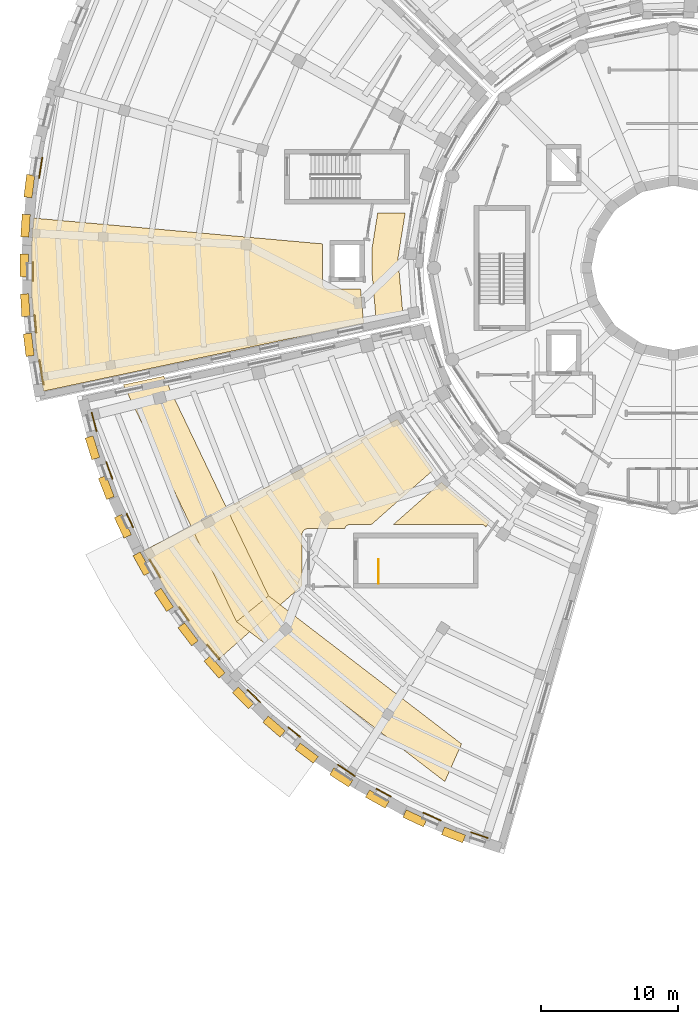
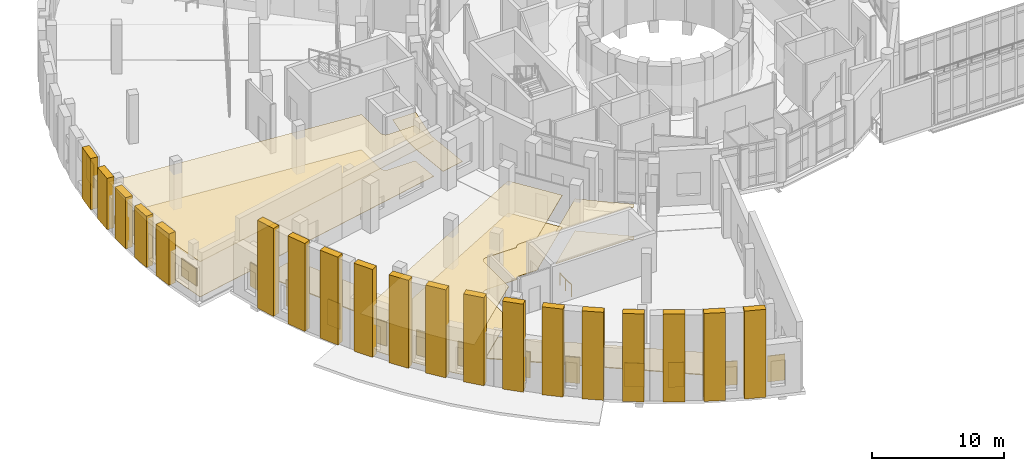
# One storey, part 75 of 89: 44 coverings, 1 railing.
"""IFC4 building model written with IfcOpenShell, lengths in metres."""

import ifcopenshell
import ifcopenshell.guid

model = None  # the IFC model being written
_history = None  # IfcOwnerHistory: only IFC2X3 demands one
_inside = {}  # id of a spatial element -> (the spatial element, [elements in it])
_under = {}  # id of a project, library or spatial element -> (it, [spatial elements below it])
_declared = {}  # id of a project -> (the project, [libraries it declares])
_typed = {}  # id of a type object -> (the type object, [elements of that type])
_made_of = {}  # id of a material, layer set ... -> (it, [elements and type objects made of it])


def new_model(schema):
    """Start an empty IFC model of exactly this schema.

    Asked for "IFC4X3", IfcOpenShell would pick the latest addendum, in which some entities
    have other attributes; the version numbers below select the first issue.
    IFC2X3 requires an IfcOwnerHistory on every rooted entity: one is made here for all.
    """
    global model, _history
    if schema == "IFC4X3":
        model = ifcopenshell.file(schema_version=(4, 3, 0, 0))
    else:
        model = ifcopenshell.file(schema=schema)
    _inside.clear()
    _under.clear()
    _declared.clear()
    _typed.clear()
    _made_of.clear()
    _history = None
    if model.schema == "IFC2X3":
        org = make("IfcOrganization", Name="unknown")
        user = make(
            "IfcPersonAndOrganization",
            ThePerson=make("IfcPerson", FamilyName="unknown"),
            TheOrganization=org,
        )
        app = make(
            "IfcApplication",
            ApplicationDeveloper=org,
            Version="unknown",
            ApplicationFullName="unknown",
            ApplicationIdentifier="unknown",
        )
        _history = make(
            "IfcOwnerHistory",
            OwningUser=user,
            OwningApplication=app,
            ChangeAction="ADDED",
            CreationDate=0,
        )
    return model


def make(cls, **values):
    """One entity of the class cls with the attributes given. An attribute that is None is left unset."""
    return model.create_entity(
        cls, **{name: value for name, value in values.items() if value is not None}
    )


def rooted(cls, **values):
    """An entity with a GlobalId (a new one), such as an element, a storey or a relation."""
    return make(cls, GlobalId=ifcopenshell.guid.new(), OwnerHistory=_history, **values)


def si_unit(unit_type, name, prefix=None):
    """IfcSIUnit, for example si_unit("LENGTHUNIT", "METRE", prefix="MILLI")."""
    return make("IfcSIUnit", UnitType=unit_type, Prefix=prefix, Name=name)


def assignment(units):
    """IfcUnitAssignment: the units of a project."""
    return None if units is None else make("IfcUnitAssignment", Units=units)


def point(xyz):
    """IfcCartesianPoint."""
    return None if xyz is None else make("IfcCartesianPoint", Coordinates=xyz)


def direction(xyz):
    """IfcDirection."""
    return None if xyz is None else make("IfcDirection", DirectionRatios=xyz)


def frame(location, z_axis=None, x_axis=None):
    """IfcAxis2Placement3D, a coordinate frame: its origin and axes. An axis left out is left unset."""
    return make(
        "IfcAxis2Placement3D",
        Location=point(location),
        Axis=direction(z_axis),
        RefDirection=direction(x_axis),
    )


def frame_2d(location, x_axis=None):
    """IfcAxis2Placement2D, a coordinate frame in the plane: its origin and x axis."""
    return make(
        "IfcAxis2Placement2D", Location=point(location), RefDirection=direction(x_axis)
    )


def origin():
    """The frame at (0, 0, 0) with its axes left unset."""
    return frame((0.0, 0.0, 0.0))


def origin_2d():
    """The frame at (0, 0) in the plane with its x axis left unset."""
    return frame_2d((0.0, 0.0))


def place(relative_to, where):
    """IfcLocalPlacement: puts the frame where relative to a parent placement (None: the world)."""
    return make(
        "IfcLocalPlacement", PlacementRelTo=relative_to, RelativePlacement=where
    )


def context(
    kind, dimensions, precision=None, world=None, true_north=None, identifier=None
):
    """IfcGeometricRepresentationContext, for example the 3D "Model" context."""
    return make(
        "IfcGeometricRepresentationContext",
        ContextIdentifier=identifier,
        ContextType=kind,
        CoordinateSpaceDimension=dimensions,
        Precision=precision,
        WorldCoordinateSystem=world,
        TrueNorth=true_north,
    )


def subcontext(parent, identifier, kind, view, scale=None):
    """IfcGeometricRepresentationSubContext, for example "Body" below "Model"."""
    return make(
        "IfcGeometricRepresentationSubContext",
        ContextIdentifier=identifier,
        ContextType=kind,
        ParentContext=parent,
        TargetScale=scale,
        TargetView=view,
    )


def project(units=None, contexts=None):
    """IfcProject with its units and contexts."""
    return rooted(
        "IfcProject",
        Name="project",
        RepresentationContexts=contexts,
        UnitsInContext=assignment(units),
    )


def spatial(cls, under=None, at=None, **own):
    """A site, building, storey or space (cls), placed at a placement, below another one or the project."""
    s = rooted(cls, ObjectPlacement=at, **own)
    if under is not None:
        _under.setdefault(under.id(), (under, []))[1].append(s)
    return s


def polyline(points):
    """IfcPolyline through the points."""
    return make("IfcPolyline", Points=[point(p) for p in points])


def profile(cls, at=None, kind="AREA", **sizes):
    """A parametric profile (cls). Its sizes go by their IFC names, for example OverallWidth=200.0."""
    return make(cls, ProfileType=kind, Position=at, **sizes)


def rectangle(**sizes):
    """IfcRectangleProfileDef."""
    return profile("IfcRectangleProfileDef", **sizes)


def circle(**sizes):
    """IfcCircleProfileDef."""
    return profile("IfcCircleProfileDef", **sizes)


def outline(outer, holes=None, kind="AREA"):
    """IfcArbitraryClosedProfileDef: a profile drawn as a closed curve; with holes, ...WithVoids."""
    if holes is None:
        return make("IfcArbitraryClosedProfileDef", ProfileType=kind, OuterCurve=outer)
    return make(
        "IfcArbitraryProfileDefWithVoids",
        ProfileType=kind,
        OuterCurve=outer,
        InnerCurves=holes,
    )


def extrude(swept, where, along, depth):
    """IfcExtrudedAreaSolid: the profile swept, set in the frame where, extruded along a direction by depth."""
    return make(
        "IfcExtrudedAreaSolid",
        SweptArea=swept,
        Position=where,
        ExtrudedDirection=direction(along),
        Depth=depth,
    )


def shape(context_of_items, identifier, shape_type, items):
    """IfcShapeRepresentation: the items that make up one representation, for example the "Body"."""
    return make(
        "IfcShapeRepresentation",
        ContextOfItems=context_of_items,
        RepresentationIdentifier=identifier,
        RepresentationType=shape_type,
        Items=items,
    )


def material(Name=None, Category=None):
    """IfcMaterial."""
    return make("IfcMaterial", Name=Name, Category=Category)


def layer(
    of_material, thickness, ventilated=None, Name=None, Category=None, Priority=None
):
    """IfcMaterialLayer: one layer of a wall or slab, of a material (None: an air gap)."""
    return make(
        "IfcMaterialLayer",
        Material=of_material,
        LayerThickness=thickness,
        IsVentilated=ventilated,
        Name=Name,
        Category=Category,
        Priority=Priority,
    )


def layer_set(layers, Name=None):
    """IfcMaterialLayerSet."""
    return make("IfcMaterialLayerSet", MaterialLayers=layers, LayerSetName=Name)


def made_of(thing, what):
    """Note that an element or type object is made of a material, layer set ...; save() writes the relation."""
    if what is not None:
        _made_of.setdefault(what.id(), (what, []))[1].append(thing)
    return thing


def type_object(cls, material=None, **own):
    """A type object (cls), such as IfcWallType, which elements share."""
    return made_of(rooted(cls, **own), material)


def element(
    cls,
    number,
    at=None,
    inside=None,
    cuts=None,
    type_object=None,
    material=None,
    context=None,
    identifier="Body",
    shape_type=None,
    held_by="IfcProductDefinitionShape",
    body=None,
    shapes=None,
    **own,
):
    """One element of the class cls, such as IfcWall. Its Tag is "e" and its number.

    at: its placement. inside: the storey or other place that contains it. cuts: it is an
    opening in that element (IfcRelVoidsElement). A single representation is given by context,
    identifier, shape_type and body (its items); several are given by shapes. held_by: the class
    of the entity that holds the representations. save() writes the other relations.
    """
    e = rooted(cls, Tag="e%d" % number, ObjectPlacement=at, **own)
    if body is not None:
        shapes = [shape(context, identifier, shape_type, body)]
    if shapes is not None:
        e.Representation = make(held_by, Representations=shapes)
    if inside is not None:
        _inside.setdefault(inside.id(), (inside, []))[1].append(e)
    if cuts is not None:
        rooted(
            "IfcRelVoidsElement", RelatingBuildingElement=cuts, RelatedOpeningElement=e
        )
    if type_object is not None:
        _typed.setdefault(type_object.id(), (type_object, []))[1].append(e)
    return made_of(e, material)


def aggregate(whole, parts):
    """IfcRelAggregates: a whole, such as a stair, and the parts it consists of."""
    return rooted("IfcRelAggregates", RelatingObject=whole, RelatedObjects=parts)


def save(model, path):
    """Write the relations noted so far, then the file.

    IfcRelAggregates (storeys below a building ...), IfcRelContainedInSpatialStructure (elements
    in a storey), IfcRelDefinesByType, IfcRelAssociatesMaterial and IfcRelDeclares: one each for
    every whole, place, type object, material and project.
    """
    for whole, parts in _under.values():
        aggregate(whole, parts)
    for where, things in _inside.values():
        rooted(
            "IfcRelContainedInSpatialStructure",
            RelatedElements=things,
            RelatingStructure=where,
        )
    for kind, things in _typed.values():
        rooted("IfcRelDefinesByType", RelatedObjects=things, RelatingType=kind)
    for what, things in _made_of.values():
        rooted("IfcRelAssociatesMaterial", RelatedObjects=things, RelatingMaterial=what)
    for by, libraries in _declared.values():
        rooted("IfcRelDeclares", RelatingContext=by, RelatedDefinitions=libraries)
    model.write(path)


model = new_model("IFC4")

# Units and contexts
model_context = context("Model", 3, precision=1e-05, world=origin(), true_north=direction((0.0, 1.0)))
body_context = subcontext(model_context, "Body", "Model", "MODEL_VIEW")
ifc_project = project(units=[si_unit("LENGTHUNIT", "METRE"), si_unit("AREAUNIT", "SQUARE_METRE"), si_unit("VOLUMEUNIT", "CUBIC_METRE"), si_unit("PLANEANGLEUNIT", "RADIAN"), si_unit("MASSUNIT", "GRAM", prefix="KILO")], contexts=[model_context])

# Site, building, storey
site_placement = place(None, origin())
site = spatial("IfcSite", under=ifc_project, at=site_placement, CompositionType="ELEMENT")
building_placement = place(site_placement, origin())
building = spatial("IfcBuilding", under=site, at=building_placement, Name="Soyqirgoq Riverine Aquarium", CompositionType="ELEMENT")
storey_placement = place(building_placement, frame((0.0, 0.0, 5.39990234375)))
storey = spatial("IfcBuildingStorey", under=building, at=storey_placement, Name="L02", CompositionType="ELEMENT", Elevation=5.39990234375)

# Coverings
ifc_material_1 = material(Name="Perforated mineral-fibre acoustic ceiling", Category="gypsum")
ifc_layer_1 = layer(ifc_material_1, 0.050048828125)
ifc_layer_set_1 = layer_set([ifc_layer_1], Name="Perforated mineral-fibre acoustic ceiling")
covering_type_1 = type_object("IfcCoveringType", Name="AcousticBaffleCeiling_50", PredefinedType="CEILING", material=ifc_layer_set_1)
covering_1_placement = place(storey_placement, frame((0.0, 0.0, 2.9501953125)))
element("IfcCovering", 1, at=covering_1_placement, inside=storey, type_object=covering_type_1, Name="Mountain Stream Exhibit Room Suspended Ceiling", PredefinedType="CEILING", context=body_context, shape_type="SweptSolid", body=[
    extrude(outline(polyline([(21.367919921875, 30.10400390625), (19.0869140625, 33.33203125), (17.3330078125, 36.360107421875), (35.85400390625, 45.9599609375), (38.472900390625, 42.25390625), (33.988037109375, 38.300048828125), (32.449951171875, 38.300048828125), (32.406005859375, 38.298095703125), (32.362060546875, 38.291015625), (32.319091796875, 38.281005859375), (32.278076171875, 38.26611328125), (32.238037109375, 38.2470703125), (32.199951171875, 38.22412109375), (32.1650390625, 38.197998046875), (32.132080078125, 38.16796875), (32.10205078125, 38.135009765625), (32.075927734375, 38.10009765625), (32.052978515625, 38.06201171875), (32.033935546875, 38.02197265625), (32.02294921875, 37.989990234375), (29.360107421875, 37.989990234375), (29.31591796875, 37.988037109375), (29.27197265625, 37.98095703125), (29.22900390625, 37.970947265625), (29.18798828125, 37.9560546875), (29.14794921875, 37.93701171875), (29.110107421875, 37.9140625), (29.074951171875, 37.887939453125), (29.0419921875, 37.85791015625), (29.011962890625, 37.824951171875), (28.986083984375, 37.7900390625), (28.962890625, 37.751953125), (28.944091796875, 37.7119140625), (28.928955078125, 37.6708984375), (28.9189453125, 37.6279296875), (28.912109375, 37.583984375), (28.909912109375, 37.5400390625), (28.909912109375, 33.823974609375), (22.79296875, 28.430908203125), (21.367919921875, 30.10400390625)])), origin(), (0.0, 0.0, 1.0), 0.0498046875),
])
covering_2_placement = place(storey_placement, frame((0.0, 0.0, 2.9501953125)))
element("IfcCovering", 2, at=covering_2_placement, inside=storey, type_object=covering_type_1, Name="Members' Reading Lounge Suspended Ceiling", PredefinedType="CEILING", context=body_context, shape_type="SweptSolid", body=[
    extrude(outline(polyline([(39.117919921875, 41.341064453125), (39.14306640625, 41.30908203125), (39.1708984375, 41.279052734375), (39.200927734375, 41.251953125), (42.5849609375, 38.487060546875), (42.321044921875, 38.10400390625), (42.298095703125, 38.135009765625), (42.26806640625, 38.16796875), (42.235107421875, 38.197998046875), (42.199951171875, 38.22412109375), (42.162109375, 38.2470703125), (42.1220703125, 38.26611328125), (42.0810546875, 38.281005859375), (42.0380859375, 38.291015625), (41.993896484375, 38.298095703125), (41.949951171875, 38.300048828125), (35.590087890625, 38.300048828125), (39.087890625, 41.384033203125), (39.117919921875, 41.341064453125)])), origin(), (0.0, 0.0, 1.0), 0.0498046875),
])
covering_3_placement = place(storey_placement, frame((0.0, 0.0, 3.25)))
element("IfcCovering", 3, at=covering_3_placement, inside=storey, type_object=covering_type_1, Name="Endemic Sturgeon Conservation Hall Suspended Ceiling", PredefinedType="CEILING", context=body_context, shape_type="SweptSolid", body=[
    extrude(outline(polyline([(9.533935546875, 51.02001953125), (9.200927734375, 54.820068359375), (9.178955078125, 58.635009765625), (9.330078125, 60.633056640625), (30.39990234375, 58.7529296875), (30.39990234375, 55.89990234375), (30.402099609375, 55.85595703125), (30.408935546875, 55.81201171875), (30.4189453125, 55.76904296875), (30.43408203125, 55.72802734375), (30.452880859375, 55.68798828125), (30.47607421875, 55.64990234375), (30.501953125, 55.614990234375), (30.531982421875, 55.58203125), (30.56494140625, 55.552001953125), (30.60009765625, 55.52587890625), (30.637939453125, 55.5029296875), (30.677978515625, 55.48388671875), (30.718994140625, 55.468994140625), (30.761962890625, 55.458984375), (30.805908203125, 55.451904296875), (30.85009765625, 55.449951171875), (33.18603515625, 55.449951171875), (33.403076171875, 52.97412109375), (10.047119140625, 48.009033203125), (9.533935546875, 51.02001953125)])), origin(), (0.0, 0.0, 1.0), 0.050048828125),
])
ifc_material_2 = material(Name="Perforated anodised aluminium travertine-tone soffit", Category="masonry")
ifc_layer_2 = layer(ifc_material_2, 0.080078125)
ifc_layer_set_2 = layer_set([ifc_layer_2], Name="Perforated anodised aluminium travertine-tone soffit")
covering_type_2 = type_object("IfcCoveringType", Name="PrairieEaveSoffit_80", PredefinedType="CLADDING", material=ifc_layer_set_2)
covering_4_placement = place(storey_placement, frame((0.0, 0.0, -0.35986328125)))
element("IfcCovering", 4, at=covering_4_placement, inside=storey, type_object=covering_type_2, Name="V2 L02 Prairie Eave Travertine Soffit 01", PredefinedType="CLADDING", context=body_context, shape_type="SweptSolid", body=[
    extrude(outline(polyline([(18.830322265625, 49.099365234375), (15.89599609375, 48.4755859375), (24.136962890625, 31.197998046875), (26.468505859375, 33.085693359375), (18.830322265625, 49.099365234375)])), origin(), (0.0, 0.0, 1.0), 0.080078125),
])
covering_5_placement = place(storey_placement, frame((0.0, 0.0, -0.35986328125)))
element("IfcCovering", 5, at=covering_5_placement, inside=storey, type_object=covering_type_2, Name="V2 L02 Prairie Eave Travertine Soffit 02", PredefinedType="CLADDING", context=body_context, shape_type="SweptSolid", body=[
    extrude(outline(polyline([(26.468505859375, 33.085693359375), (24.136962890625, 31.197998046875), (39.32373046875, 19.544677734375), (40.5439453125, 22.285400390625), (26.468505859375, 33.085693359375)])), origin(), (0.0, 0.0, 1.0), 0.080078125),
])
ifc_material_3 = material(Name="Anodised extruded aluminium sunshade", Category="aluminium")
covering_type_3 = type_object("IfcCoveringType", Name="SolarShadingLouvre_450", PredefinedType="USERDEFINED", material=ifc_material_3)
covering_6_placement = place(storey_placement, frame((41.8505859375, 15.6376953125, 0.750244140625), z_axis=(0.0, 0.0, 1.0), x_axis=(-0.947879690069, 0.318628456287, 0.0)))
element("IfcCovering", 6, at=covering_6_placement, inside=storey, type_object=covering_type_3, Name="V2 L02 Travertine Niche Solar Shade 0017", ObjectType="SOLAR_SHADING", PredefinedType="USERDEFINED", context=body_context, shape_type="SweptSolid", body=[
    extrude(rectangle(XDim=1.340087890625, YDim=0.080078125, at=origin_2d()), origin(), (0.0, 0.0, 1.0), 2.39990234375),
])
covering_7_placement = place(storey_placement, frame((38.39404296875, 16.9873046875, 0.75), z_axis=(0.0, 0.0, 1.0), x_axis=(-0.915311479119, 0.402746689859, 0.0)))
element("IfcCovering", 7, at=covering_7_placement, inside=storey, type_object=covering_type_3, Name="V2 L02 Travertine Niche Solar Shade 0018", ObjectType="SOLAR_SHADING", PredefinedType="USERDEFINED", context=body_context, shape_type="SweptSolid", body=[
    extrude(rectangle(XDim=1.43994140625, YDim=0.080078125, at=origin_2d()), origin(), (0.0, 0.0, 1.0), 2.199951171875),
])
covering_8_placement = place(storey_placement, frame((34.8623046875, 18.7353515625, 0.75), z_axis=(0.0, 0.0, 1.0), x_axis=(-0.875295776291, 0.483587948575, 0.0)))
element("IfcCovering", 8, at=covering_8_placement, inside=storey, type_object=covering_type_3, Name="V2 L02 Travertine Niche Solar Shade 0019", ObjectType="SOLAR_SHADING", PredefinedType="USERDEFINED", context=body_context, shape_type="SweptSolid", body=[
    extrude(rectangle(XDim=1.239990234375, YDim=0.080078125, at=origin_2d()), origin(), (0.0, 0.0, 1.0), 2.300048828125),
])
covering_9_placement = place(storey_placement, frame((32.148193359375, 20.357421875, 0.75), z_axis=(0.0, 0.0, 1.0), x_axis=(-0.828255984098, 0.560349912828, 0.0)))
element("IfcCovering", 9, at=covering_9_placement, inside=storey, type_object=covering_type_3, Name="V2 L02 Travertine Niche Solar Shade 0020", ObjectType="SOLAR_SHADING", PredefinedType="USERDEFINED", context=body_context, shape_type="SweptSolid", body=[
    extrude(rectangle(XDim=1.5400390625, YDim=0.080078125, at=origin_2d()), origin(), (0.0, 0.0, 1.0), 2.199951171875),
])
covering_10_placement = place(storey_placement, frame((28.34130859375, 23.147705078125, 0.750244140625), z_axis=(0.0, 0.0, 1.0), x_axis=(-0.774392644082, 0.632705328563, 0.0)))
element("IfcCovering", 10, at=covering_10_placement, inside=storey, type_object=covering_type_3, Name="V2 L02 Travertine Niche Solar Shade 0021", ObjectType="SOLAR_SHADING", PredefinedType="USERDEFINED", context=body_context, shape_type="SweptSolid", body=[
    extrude(rectangle(XDim=1.139892578125, YDim=0.080078125, at=origin_2d()), origin(), (0.0, 0.0, 1.0), 2.39990234375),
])
covering_11_placement = place(storey_placement, frame((25.4052734375, 25.77587890625, 0.750244140625), z_axis=(0.0, 0.0, 1.0), x_axis=(-0.714228407531, 0.699912695896, 0.0)))
element("IfcCovering", 11, at=covering_11_placement, inside=storey, type_object=covering_type_3, Name="V2 L02 Travertine Niche Solar Shade 0022", ObjectType="SOLAR_SHADING", PredefinedType="USERDEFINED", context=body_context, shape_type="SweptSolid", body=[
    extrude(rectangle(XDim=1.340087890625, YDim=0.080078125, at=origin_2d()), origin(), (0.0, 0.0, 1.0), 2.39990234375),
])
covering_12_placement = place(storey_placement, frame((22.445556640625, 28.9775390625, 0.75), z_axis=(0.0, 0.0, 1.0), x_axis=(-0.648385688589, 0.761312024621, 0.0)))
element("IfcCovering", 12, at=covering_12_placement, inside=storey, type_object=covering_type_3, Name="V2 L02 Travertine Niche Solar Shade 0023", ObjectType="SOLAR_SHADING", PredefinedType="USERDEFINED", context=body_context, shape_type="SweptSolid", body=[
    extrude(rectangle(XDim=1.43994140625, YDim=0.080078125, at=origin_2d()), origin(), (0.0, 0.0, 1.0), 2.199951171875),
])
covering_13_placement = place(storey_placement, frame((20.30078125, 31.770263671875, 0.75), z_axis=(0.0, 0.0, 1.0), x_axis=(-0.577145190037, 0.816641555162, 0.0)))
element("IfcCovering", 13, at=covering_13_placement, inside=storey, type_object=covering_type_3, Name="V2 L02 Travertine Niche Solar Shade 0024", ObjectType="SOLAR_SHADING", PredefinedType="USERDEFINED", context=body_context, shape_type="SweptSolid", body=[
    extrude(rectangle(XDim=1.239990234375, YDim=0.080078125, at=origin_2d()), origin(), (0.0, 0.0, 1.0), 2.300048828125),
])
covering_14_placement = place(storey_placement, frame((18.173583984375, 35.087646484375, 0.75), z_axis=(0.0, 0.0, 1.0), x_axis=(-0.501208711795, 0.86532642813, 0.0)))
element("IfcCovering", 14, at=covering_14_placement, inside=storey, type_object=covering_type_3, Name="V2 L02 Travertine Niche Solar Shade 0025", ObjectType="SOLAR_SHADING", PredefinedType="USERDEFINED", context=body_context, shape_type="SweptSolid", body=[
    extrude(rectangle(XDim=1.5400390625, YDim=0.080078125, at=origin_2d()), origin(), (0.0, 0.0, 1.0), 2.199951171875),
])
covering_15_placement = place(storey_placement, frame((16.354248046875, 38.5830078125, 0.750244140625), z_axis=(0.0, 0.0, 1.0), x_axis=(-0.4213524058, 0.90689698981, 0.0)))
element("IfcCovering", 15, at=covering_15_placement, inside=storey, type_object=covering_type_3, Name="V2 L02 Travertine Niche Solar Shade 0026", ObjectType="SOLAR_SHADING", PredefinedType="USERDEFINED", context=body_context, shape_type="SweptSolid", body=[
    extrude(rectangle(XDim=1.139892578125, YDim=0.080078125, at=origin_2d()), origin(), (0.0, 0.0, 1.0), 2.39990234375),
])
covering_16_placement = place(storey_placement, frame((14.856689453125, 42.22802734375, 0.750244140625), z_axis=(0.0, 0.0, 1.0), x_axis=(-0.337916718003, 0.941176015256, 0.0)))
element("IfcCovering", 16, at=covering_16_placement, inside=storey, type_object=covering_type_3, Name="V2 L02 Travertine Niche Solar Shade 0027", ObjectType="SOLAR_SHADING", PredefinedType="USERDEFINED", context=body_context, shape_type="SweptSolid", body=[
    extrude(rectangle(XDim=1.340087890625, YDim=0.080078125, at=origin_2d()), origin(), (0.0, 0.0, 1.0), 2.39990234375),
])
covering_17_placement = place(storey_placement, frame((13.75146484375, 45.770263671875, 0.75), z_axis=(0.0, 0.0, 1.0), x_axis=(-0.251731548668, 0.967797100329, 0.0)))
element("IfcCovering", 17, at=covering_17_placement, inside=storey, type_object=covering_type_3, Name="V2 L02 Travertine Niche Solar Shade 0028", ObjectType="SOLAR_SHADING", PredefinedType="USERDEFINED", context=body_context, shape_type="SweptSolid", body=[
    extrude(rectangle(XDim=1.43994140625, YDim=0.080078125, at=origin_2d()), origin(), (0.0, 0.0, 1.0), 2.199951171875),
])
covering_18_placement = place(storey_placement, frame((9.904052734375, 49.381591796875, 0.75), z_axis=(0.0, 0.0, 1.0), x_axis=(-0.167973243363, 0.9857915548, 0.0)))
element("IfcCovering", 18, at=covering_18_placement, inside=storey, type_object=covering_type_3, Name="V3 L02 Travertine Niche Solar Shade 0031", ObjectType="SOLAR_SHADING", PredefinedType="USERDEFINED", context=body_context, shape_type="SweptSolid", body=[
    extrude(rectangle(XDim=1.840087890625, YDim=0.080078125, at=origin_2d()), origin(), (0.0, 0.0, 1.0), 1.60009765625),
])
covering_19_placement = place(storey_placement, frame((9.45703125, 52.927978515625, 0.750244140625), z_axis=(0.0, 0.0, 1.0), x_axis=(-0.087155742748, 0.996194698092, 0.0)))
element("IfcCovering", 19, at=covering_19_placement, inside=storey, type_object=covering_type_3, Name="V3 L02 Travertine Niche Solar Shade 0032", ObjectType="SOLAR_SHADING", PredefinedType="USERDEFINED", context=body_context, shape_type="SweptSolid", body=[
    extrude(rectangle(XDim=1.340087890625, YDim=0.080078125, at=origin_2d()), origin(), (0.0, 0.0, 1.0), 2.39990234375),
])
covering_20_placement = place(storey_placement, frame((9.280029296875, 56.72802734375, 0.75), z_axis=(0.0, 0.0, 1.0), x_axis=(-0.005759554688, 0.999983413627, 0.0)))
element("IfcCovering", 20, at=covering_20_placement, inside=storey, type_object=covering_type_3, Name="V3 L02 Travertine Niche Solar Shade 0033", ObjectType="SOLAR_SHADING", PredefinedType="USERDEFINED", context=body_context, shape_type="SweptSolid", body=[
    extrude(rectangle(XDim=1.43994140625, YDim=0.080078125, at=origin_2d()), origin(), (0.0, 0.0, 1.0), 2.199951171875),
])
covering_21_placement = place(storey_placement, frame((9.8544921875, 64.30859375, 0.75), z_axis=(0.0, 0.0, 1.0), x_axis=(0.15643446504, 0.987688340595, 0.0)))
element("IfcCovering", 21, at=covering_21_placement, inside=storey, type_object=covering_type_3, Name="V3 L02 Travertine Niche Solar Shade 0034", ObjectType="SOLAR_SHADING", PredefinedType="USERDEFINED", context=body_context, shape_type="SweptSolid", body=[
    extrude(rectangle(XDim=1.5400390625, YDim=0.080078125, at=origin_2d()), origin(), (0.0, 0.0, 1.0), 2.199951171875),
])

# Railing
ifc_material_4 = material(Name="Painted steel infill stair-well guardrail", Category="steel")
railing_type = type_object("IfcRailingType", Name="StairWellGuard_1120", PredefinedType="GUARDRAIL", material=ifc_material_4)
railing_placement = place(storey_placement, frame((34.5, 34.0, 0.0)))
element("IfcRailing", 22, at=railing_placement, inside=storey, type_object=railing_type, Name="L02 ST-2 top well guard 1", PredefinedType="GUARDRAIL", context=body_context, shape_type="SweptSolid", body=[
    extrude(circle(Radius=0.02392578125, at=origin_2d()), frame((0.0, 0.0, 1.09619140625), z_axis=(0.0, 1.0, 0.0), x_axis=(-1.0, 0.0, 0.0)), (0.0, 0.0, 1.0), 1.75),
    extrude(circle(Radius=0.02099609375, at=origin_2d()), origin(), (0.0, 0.0, 1.0), 1.072021484375),
    extrude(circle(Radius=0.02099609375, at=origin_2d()), frame((0.0, 0.875, 0.0)), (0.0, 0.0, 1.0), 1.072021484375),
    extrude(circle(Radius=0.02099609375, at=origin_2d()), frame((0.0, 1.75, 0.0)), (0.0, 0.0, 1.0), 1.072021484375),
])

# Coverings
ifc_material_5 = material(Name="Polished Chirchiq river-pebble terrazzo flooring", Category="concrete")
ifc_layer_3 = layer(ifc_material_5, 0.030029296875)
ifc_layer_set_3 = layer_set([ifc_layer_3], Name="Polished Chirchiq river-pebble terrazzo flooring")
covering_type_4 = type_object("IfcCoveringType", Name="TerrazzoFloorFinish_30", PredefinedType="FLOORING", material=ifc_layer_set_3)
covering_22_placement = place(storey_placement, origin())
element("IfcCovering", 23, at=covering_22_placement, inside=storey, type_object=covering_type_4, Name="Mountain Stream Exhibit Room Floor Finish", PredefinedType="FLOORING", context=body_context, shape_type="SweptSolid", body=[
    extrude(outline(polyline([(21.367919921875, 30.10400390625), (19.0869140625, 33.33203125), (17.3330078125, 36.360107421875), (35.85400390625, 45.9599609375), (38.472900390625, 42.25390625), (33.988037109375, 38.300048828125), (32.449951171875, 38.300048828125), (32.406005859375, 38.298095703125), (32.362060546875, 38.291015625), (32.319091796875, 38.281005859375), (32.278076171875, 38.26611328125), (32.238037109375, 38.2470703125), (32.199951171875, 38.22412109375), (32.1650390625, 38.197998046875), (32.132080078125, 38.16796875), (32.10205078125, 38.135009765625), (32.075927734375, 38.10009765625), (32.052978515625, 38.06201171875), (32.033935546875, 38.02197265625), (32.02294921875, 37.989990234375), (29.360107421875, 37.989990234375), (29.31591796875, 37.988037109375), (29.27197265625, 37.98095703125), (29.22900390625, 37.970947265625), (29.18798828125, 37.9560546875), (29.14794921875, 37.93701171875), (29.110107421875, 37.9140625), (29.074951171875, 37.887939453125), (29.0419921875, 37.85791015625), (29.011962890625, 37.824951171875), (28.986083984375, 37.7900390625), (28.962890625, 37.751953125), (28.944091796875, 37.7119140625), (28.928955078125, 37.6708984375), (28.9189453125, 37.6279296875), (28.912109375, 37.583984375), (28.909912109375, 37.5400390625), (28.909912109375, 33.823974609375), (22.79296875, 28.430908203125), (21.367919921875, 30.10400390625)])), origin(), (0.0, 0.0, 1.0), 0.030029296875),
])
covering_23_placement = place(storey_placement, origin())
element("IfcCovering", 24, at=covering_23_placement, inside=storey, type_object=covering_type_4, Name="Members' Reading Lounge Floor Finish", PredefinedType="FLOORING", context=body_context, shape_type="SweptSolid", body=[
    extrude(outline(polyline([(39.117919921875, 41.341064453125), (39.14306640625, 41.30908203125), (39.1708984375, 41.279052734375), (39.200927734375, 41.251953125), (42.5849609375, 38.487060546875), (42.321044921875, 38.10400390625), (42.298095703125, 38.135009765625), (42.26806640625, 38.16796875), (42.235107421875, 38.197998046875), (42.199951171875, 38.22412109375), (42.162109375, 38.2470703125), (42.1220703125, 38.26611328125), (42.0810546875, 38.281005859375), (42.0380859375, 38.291015625), (41.993896484375, 38.298095703125), (41.949951171875, 38.300048828125), (35.590087890625, 38.300048828125), (39.087890625, 41.384033203125), (39.117919921875, 41.341064453125)])), origin(), (0.0, 0.0, 1.0), 0.030029296875),
])
covering_24_placement = place(storey_placement, origin())
element("IfcCovering", 25, at=covering_24_placement, inside=storey, type_object=covering_type_4, Name="V3 Gallery Circulation Corridor Floor Finish", PredefinedType="FLOORING", context=body_context, shape_type="SweptSolid", body=[
    extrude(outline(polyline([(34.320068359375, 53.1689453125), (34.0, 56.820068359375), (34.0, 58.2958984375), (34.427978515625, 61.0), (36.430908203125, 61.0), (35.91796875, 57.756103515625), (35.912109375, 57.701904296875), (35.9140625, 57.64697265625), (36.26904296875, 53.5830078125), (34.320068359375, 53.1689453125)])), origin(), (0.0, 0.0, 1.0), 0.030029296875),
])
covering_25_placement = place(storey_placement, origin())
element("IfcCovering", 26, at=covering_25_placement, inside=storey, type_object=covering_type_4, Name="Endemic Sturgeon Conservation Hall Floor Finish", PredefinedType="FLOORING", context=body_context, shape_type="SweptSolid", body=[
    extrude(outline(polyline([(9.533935546875, 51.02001953125), (9.200927734375, 54.820068359375), (9.178955078125, 58.635009765625), (9.330078125, 60.633056640625), (30.39990234375, 58.7529296875), (30.39990234375, 55.89990234375), (30.402099609375, 55.85595703125), (30.408935546875, 55.81201171875), (30.4189453125, 55.76904296875), (30.43408203125, 55.72802734375), (30.452880859375, 55.68798828125), (30.47607421875, 55.64990234375), (30.501953125, 55.614990234375), (30.531982421875, 55.58203125), (30.56494140625, 55.552001953125), (30.60009765625, 55.52587890625), (30.637939453125, 55.5029296875), (30.677978515625, 55.48388671875), (30.718994140625, 55.468994140625), (30.761962890625, 55.458984375), (30.805908203125, 55.451904296875), (30.85009765625, 55.449951171875), (33.18603515625, 55.449951171875), (33.403076171875, 52.97412109375), (10.047119140625, 48.009033203125), (9.533935546875, 51.02001953125)])), origin(), (0.0, 0.0, 1.0), 0.030029296875),
])
ifc_material_6 = material(Name="Honed Uzbek travertine limestone vertical niche pier", Category="masonry")
covering_type_5 = type_object("IfcCoveringType", Name="TravertineNichePier_550", PredefinedType="CLADDING", material=ifc_material_6)
for number, where, z_axis, x_axis, name in (
    (27, (13.63330078125, 43.88525390625, 0.000244140625), (0.0, 0.0, 1.0), (-0.955278362122, -0.295708050044, 0.0), "V2 L02 Travertine Vertical Niche Pier 008"),
    (28, (14.642822265625, 40.984130859375, 0.000244140625), (0.0, 0.0, 1.0), (-0.932513019588, -0.361136356933, 0.0), "V2 L02 Travertine Vertical Niche Pier 009"),
    (29, (15.8505859375, 38.159912109375, 0.000244140625), (0.0, 0.0, 1.0), (-0.905272431289, -0.424831525605, 0.0), "V2 L02 Travertine Vertical Niche Pier 010"),
    (30, (17.251220703125, 35.42578125, 0.000244140625), (0.0, 0.0, 1.0), (-0.873687328191, -0.486487875037, 0.0), "V2 L02 Travertine Vertical Niche Pier 011"),
    (31, (18.83740234375, 32.79541015625, 0.000244140625), (0.0, 0.0, 1.0), (-0.837909291125, -0.545809508754, 0.0), "V2 L02 Travertine Vertical Niche Pier 012"),
    (32, (20.60205078125, 30.281005859375, 0.000244140625), (0.0, 0.0, 1.0), (-0.798110023334, -0.602511734868, 0.0), "V2 L02 Travertine Vertical Niche Pier 013"),
    (33, (22.536376953125, 27.894775390625, 0.000244140625), (0.0, 0.0, 1.0), (-0.754480526445, -0.656322432357, 0.0), "V2 L02 Travertine Vertical Niche Pier 014"),
    (34, (24.63134765625, 25.648193359375, 0.000244140625), (0.0, 0.0, 1.0), (-0.707353564932, -0.706859911282, 0.0), "V2 L02 Travertine Vertical Niche Pier 015"),
    (35, (26.876708984375, 23.552001953125, 0.000244140625), (0.0, 0.0, 1.0), (-0.656717387452, -0.754136773416, 0.0), "V2 L02 Travertine Vertical Niche Pier 016"),
    (36, (29.261962890625, 21.616455078125, 0.000244140625), (0.0, 0.0, 1.0), (-0.602929541689, -0.797794439539, 0.0), "V2 L02 Travertine Vertical Niche Pier 017"),
    (37, (31.775390625, 19.850341796875, 0.000244140625), (0.0, 0.0, 1.0), (-0.546248162194, -0.837623391089, 0.0), "V2 L02 Travertine Vertical Niche Pier 018"),
    (38, (34.405029296875, 18.2626953125, 0.000244140625), (0.0, 0.0, 1.0), (-0.486945269945, -0.873432483984, 0.0), "V2 L02 Travertine Vertical Niche Pier 019"),
    (39, (37.13818359375, 16.86083984375, 0.000244140625), (0.0, 0.0, 1.0), (-0.425305466885, -0.90504986594, 0.0), "V2 L02 Travertine Vertical Niche Pier 020"),
    (40, (39.9619140625, 15.6513671875, 0.000244140625), (0.0, 0.0, 1.0), (-0.361624570082, -0.932323801216, 0.0), "V2 L02 Travertine Vertical Niche Pier 021"),
):
    element("IfcCovering", number, at=place(storey_placement, frame(where, z_axis=z_axis, x_axis=x_axis)), inside=storey, type_object=covering_type_5, Name=name, PredefinedType="CLADDING", context=body_context, shape_type="SweptSolid", body=[
        extrude(rectangle(XDim=0.60009765625, YDim=1.64990234375, at=origin_2d()), origin(), (0.0, 0.0, 1.0), 8.14990234375),
    ])
for number, where, z_axis, x_axis, name in (
    (41, (9.026611328125, 62.959716796875, 0.0), (0.0, 0.0, 1.0), (-0.992048940993, 0.125852686403, 0.0), "V3 L02 Travertine Vertical Niche Pier 044"),
    (42, (8.75, 60.07470703125, 0.0), (0.0, 0.0, 1.0), (-0.997893031451, 0.064880642578, 0.0), "V3 L02 Travertine Vertical Niche Pier 045"),
    (43, (8.650390625, 57.177978515625, 0.0), (0.0, 0.0, 1.0), (-0.999992628267, 0.003839714919, 0.0), "V3 L02 Travertine Vertical Niche Pier 046"),
    (44, (8.72802734375, 54.28076171875, 0.0), (0.0, 0.0, 1.0), (-0.998351848226, -0.057389782566, 0.0), "V3 L02 Travertine Vertical Niche Pier 047"),
    (45, (8.983154296875, 51.3935546875, 0.0), (0.0, 0.0, 1.0), (-0.992965508107, -0.118403968307, 0.0), "V3 L02 Travertine Vertical Niche Pier 048"),
):
    element("IfcCovering", number, at=place(storey_placement, frame(where, z_axis=z_axis, x_axis=x_axis)), inside=storey, type_object=covering_type_5, Name=name, PredefinedType="CLADDING", context=body_context, shape_type="SweptSolid", body=[
        extrude(rectangle(XDim=0.60009765625, YDim=1.64990234375, at=origin_2d()), origin(), (0.0, 0.0, 1.0), 4.75),
    ])

save(model, "model.ifc")
